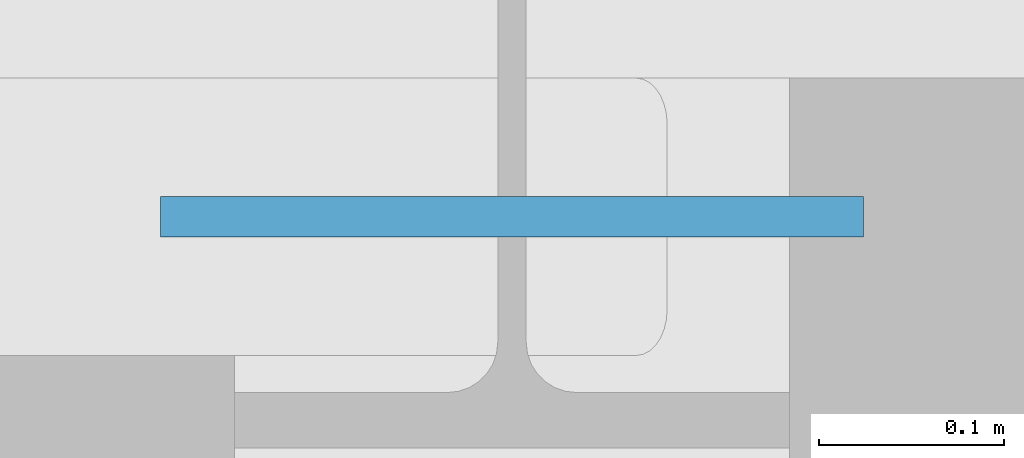
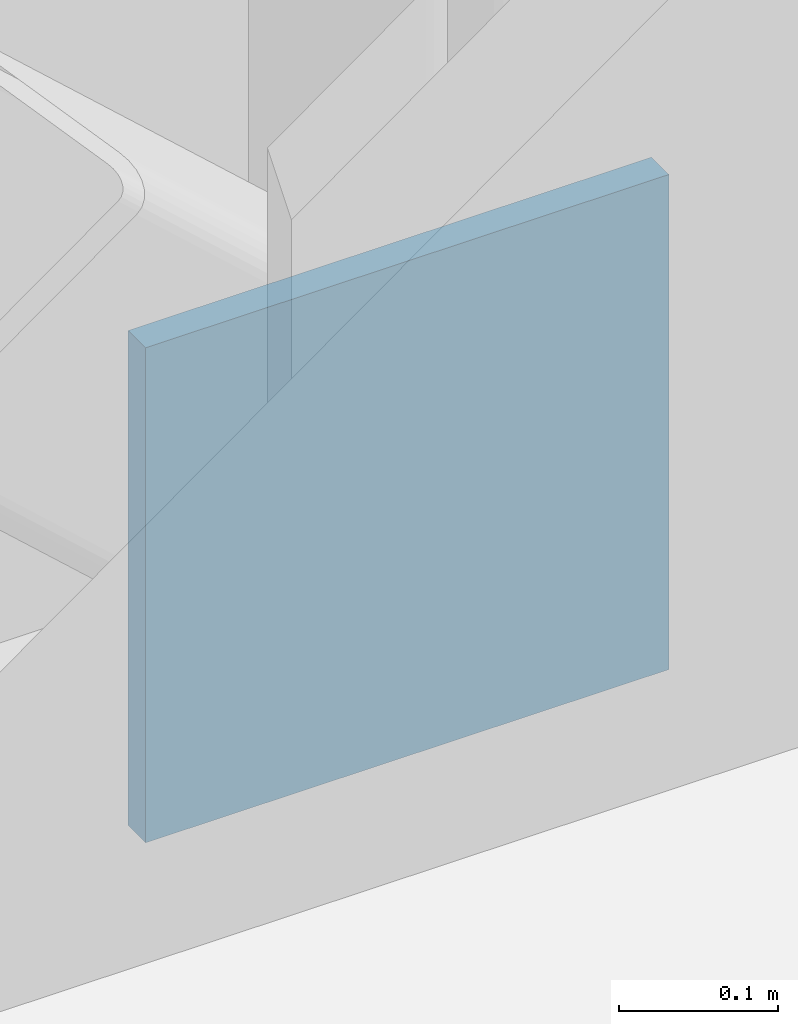
# One storey, part 81 of 106: 1 plate.
"""IFC4 building model written with IfcOpenShell, lengths in metres."""

from ifc_helpers import new_model, si_unit, derived_unit, direction, frame, origin, origin_2d, place, context, subcontext, project, spatial, rectangle, extrude, material, layer, layer_set, type_object, element, save


model = new_model("IFC4")

# Units and contexts
model_context = context("Model", 3, precision=1e-05, world=origin(), true_north=direction((0.0, 1.0)))
body_context = subcontext(model_context, "Body", "Model", "MODEL_VIEW")
ifc_project = project(units=[si_unit("LENGTHUNIT", "METRE"), si_unit("AREAUNIT", "SQUARE_METRE"), si_unit("VOLUMEUNIT", "CUBIC_METRE"), si_unit("PLANEANGLEUNIT", "RADIAN"), si_unit("MASSUNIT", "GRAM", prefix="KILO"), derived_unit("THERMALTRANSMITTANCEUNIT", [(si_unit("POWERUNIT", "WATT"), 1), (si_unit("AREAUNIT", "SQUARE_METRE"), -1), (si_unit("THERMODYNAMICTEMPERATUREUNIT", "KELVIN"), -1)])], contexts=[model_context])

# Site, building, storey
site_placement = place(None, origin())
site = spatial("IfcSite", under=ifc_project, at=site_placement, CompositionType="ELEMENT")
building_placement = place(site_placement, origin())
building = spatial("IfcBuilding", under=site, at=building_placement, Name="Yasenodar Specialist Clinic", CompositionType="ELEMENT")
storey_placement = place(building_placement, frame((0.0, 0.0, 4.5)))
storey = spatial("IfcBuildingStorey", under=building, at=storey_placement, Name="L01", CompositionType="ELEMENT", Elevation=4.5)

# Plate
ifc_material = material(Name="Steel S355", Category="steel")
ifc_layer = layer(ifc_material, 0.02197265625)
ifc_layer_set = layer_set([ifc_layer], Name="Steel S355")
plate_type = type_object("IfcPlateType", Name="PL-STEEL-02", PredefinedType="SHEET", material=ifc_layer_set)
plate_placement = place(storey_placement, frame((105.0, 111.425048828125, -0.0400390625), z_axis=(0.0, 0.0, 1.0), x_axis=(1.0, 0.0, 0.0)))
element("IfcPlate", 1, at=plate_placement, inside=storey, type_object=plate_type, Name="L01 Hollow Section End-Cap Plate 0035", PredefinedType="SHEET", context=body_context, shape_type="SweptSolid", body=[
    extrude(rectangle(XDim=0.3798828125, YDim=0.02197265625, at=origin_2d()), origin(), (0.0, 0.0, 1.0), 0.3798828125),
])

save(model, "model.ifc")
